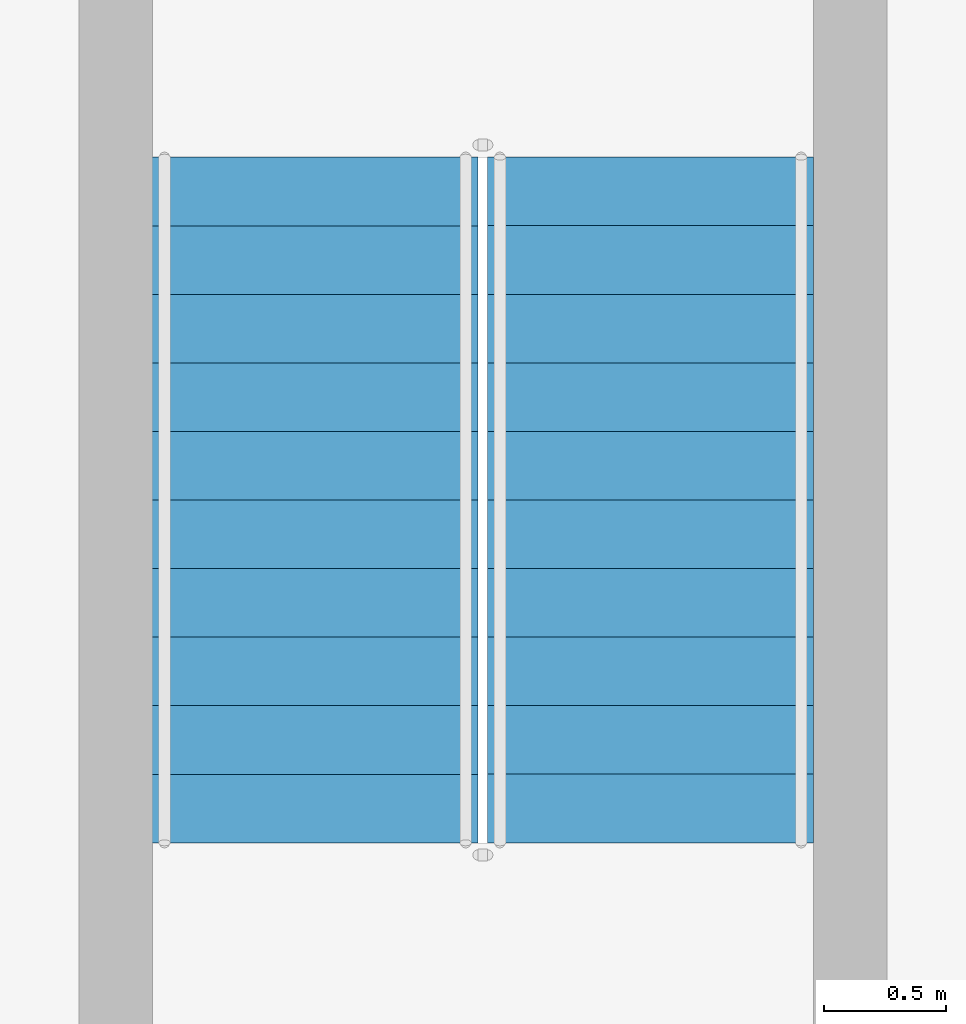
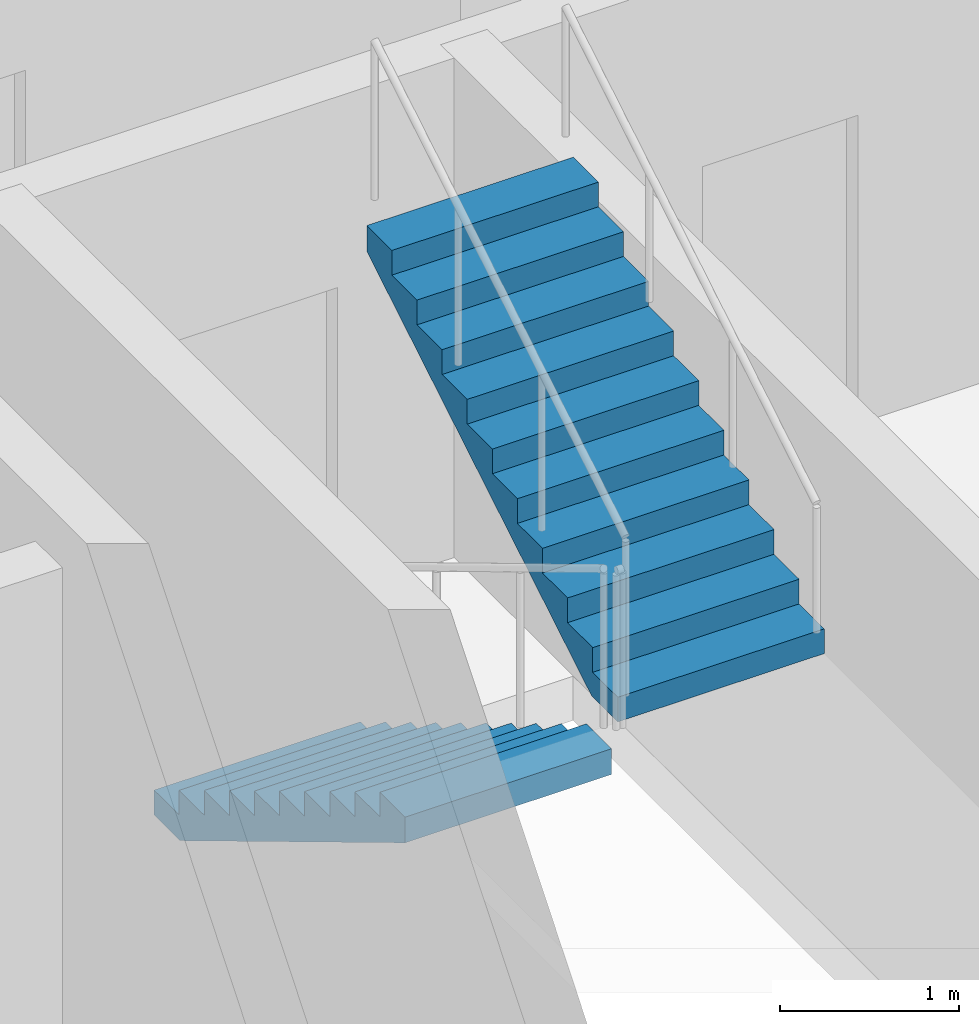
# One storey, part 24 of 31: 2 stair flights, 1 element without a shape of its own.
"""IFC4 building model written with IfcOpenShell, lengths in metres."""

from ifc_helpers import new_model, si_unit, direction, frame, origin, place, context, subcontext, project, spatial, triangles, source, transform, mapped, material, type_object, element, aggregate, save


model = new_model("IFC4")

# Units and contexts
model_context = context("Model", 3, precision=1e-05, world=origin(), true_north=direction((0.0, 1.0)))
body_context = subcontext(model_context, "Body", "Model", "MODEL_VIEW")
ifc_project = project(units=[si_unit("LENGTHUNIT", "METRE"), si_unit("AREAUNIT", "SQUARE_METRE"), si_unit("VOLUMEUNIT", "CUBIC_METRE"), si_unit("PLANEANGLEUNIT", "RADIAN"), si_unit("MASSUNIT", "GRAM", prefix="KILO")], contexts=[model_context])

# Site, building, storey
site_placement = place(None, origin())
site = spatial("IfcSite", under=ifc_project, at=site_placement, CompositionType="ELEMENT")
building_placement = place(site_placement, origin())
building = spatial("IfcBuilding", under=site, at=building_placement, Name="Ogive Portal Towers", CompositionType="ELEMENT")
storey_placement = place(building_placement, frame((0.0, 0.0, 74.199951171875)))
storey = spatial("IfcBuildingStorey", under=building, at=storey_placement, Name="L17", CompositionType="ELEMENT", Elevation=74.199951171875)

# Stair, stair flights
ifc_material = material(Name="Concrete C40/50", Category="concrete")
stair_type = type_object("IfcStairType", Name="INT-STAIR", PredefinedType="HALF_TURN_STAIR", material=ifc_material)
stair_placement = place(storey_placement, origin())
stair = element("IfcStair", 1, at=stair_placement, inside=storey, type_object=stair_type, Name="L17 Exit Stair ST-A4", PredefinedType="HALF_TURN_STAIR")
stair_flight_type = type_object("IfcStairFlightType", Name="INT-FLIGHT", PredefinedType="STRAIGHT", material=ifc_material)
shared_shape = source(origin(), body_context, "Body", "Tessellation", [
    triangles([(0.0, -0.6650390625, 0.0), (0.0, -0.384765625, 0.0), (0.0, -0.197021484375, 0.0), (0.0, -0.0830078125, 0.0), (0.0, -0.024658203125, 0.0), (0.0, -0.003173828125, 0.0), (0.0, 0.0, 0.0), (0.0, 0.003173828125, 0.0), (0.0, 0.024658203125, 0.0), (0.0, 0.0830078125, 0.0), (0.0, 0.197021484375, 0.0), (0.0, 0.384765625, 0.0), (0.0, 0.6650390625, 0.0), (0.0, -0.6650390625, 0.168212890625), (0.0, -0.384765625, 0.168212890625), (0.0, -0.197021484375, 0.168212890625), (0.0, -0.0830078125, 0.168212890625), (0.0, -0.024658203125, 0.168212890625), (0.0, -0.003173828125, 0.168212890625), (0.0, 0.0, 0.168212890625), (0.0, 0.003173828125, 0.168212890625), (0.0, 0.024658203125, 0.168212890625), (0.0, 0.0830078125, 0.168212890625), (0.0, 0.197021484375, 0.168212890625), (0.0, 0.384765625, 0.168212890625), (0.0, 0.6650390625, 0.168212890625), (0.280029296875, -0.6650390625, 0.168212890625), (0.280029296875, -0.384765625, 0.168212890625), (0.280029296875, -0.197021484375, 0.168212890625), (0.280029296875, -0.0830078125, 0.168212890625), (0.280029296875, -0.024658203125, 0.168212890625), (0.280029296875, -0.003173828125, 0.168212890625), (0.280029296875, 0.0, 0.168212890625), (0.280029296875, 0.003173828125, 0.168212890625), (0.280029296875, 0.024658203125, 0.168212890625), (0.280029296875, 0.0830078125, 0.168212890625), (0.280029296875, 0.197021484375, 0.168212890625), (0.280029296875, 0.384765625, 0.168212890625), (0.280029296875, 0.6650390625, 0.168212890625), (0.280029296875, -0.6650390625, 0.33642578125), (0.280029296875, -0.384765625, 0.33642578125), (0.280029296875, -0.197021484375, 0.33642578125), (0.280029296875, -0.0830078125, 0.33642578125), (0.280029296875, -0.024658203125, 0.33642578125), (0.280029296875, -0.003173828125, 0.33642578125), (0.280029296875, 0.0, 0.33642578125), (0.280029296875, 0.003173828125, 0.33642578125), (0.280029296875, 0.024658203125, 0.33642578125), (0.280029296875, 0.0830078125, 0.33642578125), (0.280029296875, 0.197021484375, 0.33642578125), (0.280029296875, 0.384765625, 0.33642578125), (0.280029296875, 0.6650390625, 0.33642578125), (0.56005859375, -0.6650390625, 0.33642578125), (0.56005859375, -0.384765625, 0.33642578125), (0.56005859375, -0.197021484375, 0.33642578125), (0.56005859375, -0.0830078125, 0.33642578125), (0.56005859375, -0.024658203125, 0.33642578125), (0.56005859375, -0.003173828125, 0.33642578125), (0.56005859375, 0.0, 0.33642578125), (0.56005859375, 0.003173828125, 0.33642578125), (0.56005859375, 0.024658203125, 0.33642578125), (0.56005859375, 0.0830078125, 0.33642578125), (0.56005859375, 0.197021484375, 0.33642578125), (0.56005859375, 0.384765625, 0.33642578125), (0.56005859375, 0.6650390625, 0.33642578125), (0.56005859375, -0.6650390625, 0.504638671875), (0.56005859375, -0.384765625, 0.504638671875), (0.56005859375, -0.197021484375, 0.504638671875), (0.56005859375, -0.0830078125, 0.504638671875), (0.56005859375, -0.024658203125, 0.504638671875), (0.56005859375, -0.003173828125, 0.504638671875), (0.56005859375, 0.0, 0.504638671875), (0.56005859375, 0.003173828125, 0.504638671875), (0.56005859375, 0.024658203125, 0.504638671875), (0.56005859375, 0.0830078125, 0.504638671875), (0.56005859375, 0.197021484375, 0.504638671875), (0.56005859375, 0.384765625, 0.504638671875), (0.56005859375, 0.6650390625, 0.504638671875), (0.840087890625, -0.6650390625, 0.504638671875), (0.840087890625, -0.384765625, 0.504638671875), (0.840087890625, -0.197021484375, 0.504638671875), (0.840087890625, -0.0830078125, 0.504638671875), (0.840087890625, -0.024658203125, 0.504638671875), (0.840087890625, -0.003173828125, 0.504638671875), (0.840087890625, 0.0, 0.504638671875), (0.840087890625, 0.003173828125, 0.504638671875), (0.840087890625, 0.024658203125, 0.504638671875), (0.840087890625, 0.0830078125, 0.504638671875), (0.840087890625, 0.197021484375, 0.504638671875), (0.840087890625, 0.384765625, 0.504638671875), (0.840087890625, 0.6650390625, 0.504638671875), (0.840087890625, -0.6650390625, 0.672607421875), (0.840087890625, -0.384765625, 0.672607421875), (0.840087890625, -0.197021484375, 0.672607421875), (0.840087890625, -0.0830078125, 0.672607421875), (0.840087890625, -0.024658203125, 0.672607421875), (0.840087890625, -0.003173828125, 0.672607421875), (0.840087890625, 0.0, 0.672607421875), (0.840087890625, 0.003173828125, 0.672607421875), (0.840087890625, 0.024658203125, 0.672607421875), (0.840087890625, 0.0830078125, 0.672607421875), (0.840087890625, 0.197021484375, 0.672607421875), (0.840087890625, 0.384765625, 0.672607421875), (0.840087890625, 0.6650390625, 0.672607421875), (1.1201171875, -0.6650390625, 0.672607421875), (1.1201171875, -0.384765625, 0.672607421875), (1.1201171875, -0.197021484375, 0.672607421875), (1.1201171875, -0.0830078125, 0.672607421875), (1.1201171875, -0.024658203125, 0.672607421875), (1.1201171875, -0.003173828125, 0.672607421875), (1.1201171875, 0.0, 0.672607421875), (1.1201171875, 0.003173828125, 0.672607421875), (1.1201171875, 0.024658203125, 0.672607421875), (1.1201171875, 0.0830078125, 0.672607421875), (1.1201171875, 0.197021484375, 0.672607421875), (1.1201171875, 0.384765625, 0.672607421875), (1.1201171875, 0.6650390625, 0.672607421875), (1.1201171875, -0.6650390625, 0.8408203125), (1.1201171875, -0.384765625, 0.8408203125), (1.1201171875, -0.197021484375, 0.8408203125), (1.1201171875, -0.0830078125, 0.8408203125), (1.1201171875, -0.024658203125, 0.8408203125), (1.1201171875, -0.003173828125, 0.8408203125), (1.1201171875, 0.0, 0.8408203125), (1.1201171875, 0.003173828125, 0.8408203125), (1.1201171875, 0.024658203125, 0.8408203125), (1.1201171875, 0.0830078125, 0.8408203125), (1.1201171875, 0.197021484375, 0.8408203125), (1.1201171875, 0.384765625, 0.8408203125), (1.1201171875, 0.6650390625, 0.8408203125), (1.39990234375, -0.6650390625, 0.8408203125), (1.39990234375, -0.384765625, 0.8408203125), (1.39990234375, -0.197021484375, 0.8408203125), (1.39990234375, -0.0830078125, 0.8408203125), (1.39990234375, -0.024658203125, 0.8408203125), (1.39990234375, -0.003173828125, 0.8408203125), (1.39990234375, 0.0, 0.8408203125), (1.39990234375, 0.003173828125, 0.8408203125), (1.39990234375, 0.024658203125, 0.8408203125), (1.39990234375, 0.0830078125, 0.8408203125), (1.39990234375, 0.197021484375, 0.8408203125), (1.39990234375, 0.384765625, 0.8408203125), (1.39990234375, 0.6650390625, 0.8408203125), (1.39990234375, -0.6650390625, 1.009033203125), (1.39990234375, -0.384765625, 1.009033203125), (1.39990234375, -0.197021484375, 1.009033203125), (1.39990234375, -0.0830078125, 1.009033203125), (1.39990234375, -0.024658203125, 1.009033203125), (1.39990234375, -0.003173828125, 1.009033203125), (1.39990234375, 0.0, 1.009033203125), (1.39990234375, 0.003173828125, 1.009033203125), (1.39990234375, 0.024658203125, 1.009033203125), (1.39990234375, 0.0830078125, 1.009033203125), (1.39990234375, 0.197021484375, 1.009033203125), (1.39990234375, 0.384765625, 1.009033203125), (1.39990234375, 0.6650390625, 1.009033203125), (1.679931640625, -0.6650390625, 1.009033203125), (1.679931640625, -0.384765625, 1.009033203125), (1.679931640625, -0.197021484375, 1.009033203125), (1.679931640625, -0.0830078125, 1.009033203125), (1.679931640625, -0.024658203125, 1.009033203125), (1.679931640625, -0.003173828125, 1.009033203125), (1.679931640625, 0.0, 1.009033203125), (1.679931640625, 0.003173828125, 1.009033203125), (1.679931640625, 0.024658203125, 1.009033203125), (1.679931640625, 0.0830078125, 1.009033203125), (1.679931640625, 0.197021484375, 1.009033203125), (1.679931640625, 0.384765625, 1.009033203125), (1.679931640625, 0.6650390625, 1.009033203125), (1.679931640625, -0.6650390625, 1.17724609375), (1.679931640625, -0.384765625, 1.17724609375), (1.679931640625, -0.197021484375, 1.17724609375), (1.679931640625, -0.0830078125, 1.17724609375), (1.679931640625, -0.024658203125, 1.17724609375), (1.679931640625, -0.003173828125, 1.17724609375), (1.679931640625, 0.0, 1.17724609375), (1.679931640625, 0.003173828125, 1.17724609375), (1.679931640625, 0.024658203125, 1.17724609375), (1.679931640625, 0.0830078125, 1.17724609375), (1.679931640625, 0.197021484375, 1.17724609375), (1.679931640625, 0.384765625, 1.17724609375), (1.679931640625, 0.6650390625, 1.17724609375), (1.9599609375, -0.6650390625, 1.17724609375), (1.9599609375, -0.384765625, 1.17724609375), (1.9599609375, -0.197021484375, 1.17724609375), (1.9599609375, -0.0830078125, 1.17724609375), (1.9599609375, -0.024658203125, 1.17724609375), (1.9599609375, -0.003173828125, 1.17724609375), (1.9599609375, 0.0, 1.17724609375), (1.9599609375, 0.003173828125, 1.17724609375), (1.9599609375, 0.024658203125, 1.17724609375), (1.9599609375, 0.0830078125, 1.17724609375), (1.9599609375, 0.197021484375, 1.17724609375), (1.9599609375, 0.384765625, 1.17724609375), (1.9599609375, 0.6650390625, 1.17724609375), (1.9599609375, -0.6650390625, 1.345458984375), (1.9599609375, -0.384765625, 1.345458984375), (1.9599609375, -0.197021484375, 1.345458984375), (1.9599609375, -0.0830078125, 1.345458984375), (1.9599609375, -0.024658203125, 1.345458984375), (1.9599609375, -0.003173828125, 1.345458984375), (1.9599609375, 0.0, 1.345458984375), (1.9599609375, 0.003173828125, 1.345458984375), (1.9599609375, 0.024658203125, 1.345458984375), (1.9599609375, 0.0830078125, 1.345458984375), (1.9599609375, 0.197021484375, 1.345458984375), (1.9599609375, 0.384765625, 1.345458984375), (1.9599609375, 0.6650390625, 1.345458984375), (2.239990234375, -0.6650390625, 1.345458984375), (2.239990234375, -0.384765625, 1.345458984375), (2.239990234375, -0.197021484375, 1.345458984375), (2.239990234375, -0.0830078125, 1.345458984375), (2.239990234375, -0.024658203125, 1.345458984375), (2.239990234375, -0.003173828125, 1.345458984375), (2.239990234375, 0.0, 1.345458984375), (2.239990234375, 0.003173828125, 1.345458984375), (2.239990234375, 0.024658203125, 1.345458984375), (2.239990234375, 0.0830078125, 1.345458984375), (2.239990234375, 0.197021484375, 1.345458984375), (2.239990234375, 0.384765625, 1.345458984375), (2.239990234375, 0.6650390625, 1.345458984375), (2.239990234375, -0.6650390625, 1.513671875), (2.239990234375, -0.384765625, 1.513671875), (2.239990234375, -0.197021484375, 1.513671875), (2.239990234375, -0.0830078125, 1.513671875), (2.239990234375, -0.024658203125, 1.513671875), (2.239990234375, -0.003173828125, 1.513671875), (2.239990234375, 0.0, 1.513671875), (2.239990234375, 0.003173828125, 1.513671875), (2.239990234375, 0.024658203125, 1.513671875), (2.239990234375, 0.0830078125, 1.513671875), (2.239990234375, 0.197021484375, 1.513671875), (2.239990234375, 0.384765625, 1.513671875), (2.239990234375, 0.6650390625, 1.513671875), (2.52001953125, -0.6650390625, 1.513671875), (2.52001953125, -0.384765625, 1.513671875), (2.52001953125, -0.197021484375, 1.513671875), (2.52001953125, -0.0830078125, 1.513671875), (2.52001953125, -0.024658203125, 1.513671875), (2.52001953125, -0.003173828125, 1.513671875), (2.52001953125, 0.0, 1.513671875), (2.52001953125, 0.003173828125, 1.513671875), (2.52001953125, 0.024658203125, 1.513671875), (2.52001953125, 0.0830078125, 1.513671875), (2.52001953125, 0.197021484375, 1.513671875), (2.52001953125, 0.384765625, 1.513671875), (2.52001953125, 0.6650390625, 1.513671875), (2.52001953125, -0.6650390625, 1.681884765625), (2.52001953125, -0.384765625, 1.681884765625), (2.52001953125, -0.197021484375, 1.681884765625), (2.52001953125, -0.0830078125, 1.681884765625), (2.52001953125, -0.024658203125, 1.681884765625), (2.52001953125, -0.003173828125, 1.681884765625), (2.52001953125, 0.0, 1.681884765625), (2.52001953125, 0.003173828125, 1.681884765625), (2.52001953125, 0.024658203125, 1.681884765625), (2.52001953125, 0.0830078125, 1.681884765625), (2.52001953125, 0.197021484375, 1.681884765625), (2.52001953125, 0.384765625, 1.681884765625), (2.52001953125, 0.6650390625, 1.681884765625), (2.800048828125, -0.6650390625, 1.681884765625), (2.800048828125, -0.384765625, 1.681884765625), (2.800048828125, -0.197021484375, 1.681884765625), (2.800048828125, -0.0830078125, 1.681884765625), (2.800048828125, -0.024658203125, 1.681884765625), (2.800048828125, -0.003173828125, 1.681884765625), (2.800048828125, 0.0, 1.681884765625), (2.800048828125, 0.003173828125, 1.681884765625), (2.800048828125, 0.024658203125, 1.681884765625), (2.800048828125, 0.0830078125, 1.681884765625), (2.800048828125, 0.197021484375, 1.681884765625), (2.800048828125, 0.384765625, 1.681884765625), (2.800048828125, 0.6650390625, 1.681884765625), (2.800048828125, -0.6650390625, 1.5068359375), (2.800048828125, -0.384765625, 1.5068359375), (2.800048828125, -0.197021484375, 1.5068359375), (2.800048828125, -0.0830078125, 1.5068359375), (2.800048828125, -0.024658203125, 1.5068359375), (2.800048828125, -0.003173828125, 1.5068359375), (2.800048828125, 0.0, 1.5068359375), (2.800048828125, 0.003173828125, 1.5068359375), (2.800048828125, 0.024658203125, 1.5068359375), (2.800048828125, 0.0830078125, 1.5068359375), (2.800048828125, 0.197021484375, 1.5068359375), (2.800048828125, 0.384765625, 1.5068359375), (2.800048828125, 0.6650390625, 1.5068359375), (0.291015625, -0.6650390625, 0.0), (0.291015625, -0.384765625, 0.0), (0.291015625, -0.197021484375, 0.0), (0.291015625, -0.0830078125, 0.0), (0.291015625, -0.024658203125, 0.0), (0.291015625, -0.003173828125, 0.0), (0.291015625, 0.0, 0.0), (0.291015625, 0.003173828125, 0.0), (0.291015625, 0.024658203125, 0.0), (0.291015625, 0.0830078125, 0.0), (0.291015625, 0.197021484375, 0.0), (0.291015625, 0.384765625, 0.0), (0.291015625, 0.6650390625, 0.0)], [[1, 14, 15], [1, 15, 2], [2, 15, 16], [2, 16, 3], [3, 16, 17], [3, 17, 4], [4, 17, 18], [4, 18, 5], [5, 18, 19], [5, 19, 6], [6, 19, 20], [6, 20, 7], [7, 20, 21], [7, 21, 8], [8, 21, 22], [8, 22, 9], [9, 22, 23], [9, 23, 10], [10, 23, 24], [10, 24, 11], [11, 24, 25], [11, 25, 12], [12, 25, 26], [12, 26, 13], [14, 27, 28], [14, 28, 15], [15, 28, 29], [15, 29, 16], [16, 29, 30], [16, 30, 17], [17, 30, 31], [17, 31, 18], [18, 31, 32], [18, 32, 19], [19, 32, 33], [19, 33, 20], [20, 33, 34], [20, 34, 21], [21, 34, 35], [21, 35, 22], [22, 35, 36], [22, 36, 23], [23, 36, 37], [23, 37, 24], [24, 37, 38], [24, 38, 25], [25, 38, 39], [25, 39, 26], [27, 40, 41], [27, 41, 28], [28, 41, 42], [28, 42, 29], [29, 42, 43], [29, 43, 30], [30, 43, 44], [30, 44, 31], [31, 44, 45], [31, 45, 32], [32, 45, 46], [32, 46, 33], [33, 46, 47], [33, 47, 34], [34, 47, 48], [34, 48, 35], [35, 48, 49], [35, 49, 36], [36, 49, 50], [36, 50, 37], [37, 50, 51], [37, 51, 38], [38, 51, 52], [38, 52, 39], [40, 53, 54], [40, 54, 41], [41, 54, 55], [41, 55, 42], [42, 55, 56], [42, 56, 43], [43, 56, 57], [43, 57, 44], [44, 57, 58], [44, 58, 45], [45, 58, 59], [45, 59, 46], [46, 59, 60], [46, 60, 47], [47, 60, 61], [47, 61, 48], [48, 61, 62], [48, 62, 49], [49, 62, 63], [49, 63, 50], [50, 63, 64], [50, 64, 51], [51, 64, 65], [51, 65, 52], [53, 66, 67], [53, 67, 54], [54, 67, 68], [54, 68, 55], [55, 68, 69], [55, 69, 56], [56, 69, 70], [56, 70, 57], [57, 70, 71], [57, 71, 58], [58, 71, 72], [58, 72, 59], [59, 72, 73], [59, 73, 60], [60, 73, 74], [60, 74, 61], [61, 74, 75], [61, 75, 62], [62, 75, 76], [62, 76, 63], [63, 76, 77], [63, 77, 64], [64, 77, 78], [64, 78, 65], [66, 79, 80], [66, 80, 67], [67, 80, 81], [67, 81, 68], [68, 81, 82], [68, 82, 69], [69, 82, 83], [69, 83, 70], [70, 83, 84], [70, 84, 71], [71, 84, 85], [71, 85, 72], [72, 85, 86], [72, 86, 73], [73, 86, 87], [73, 87, 74], [74, 87, 88], [74, 88, 75], [75, 88, 89], [75, 89, 76], [76, 89, 90], [76, 90, 77], [77, 90, 91], [77, 91, 78], [79, 92, 93], [79, 93, 80], [80, 93, 94], [80, 94, 81], [81, 94, 95], [81, 95, 82], [82, 95, 96], [82, 96, 83], [83, 96, 97], [83, 97, 84], [84, 97, 98], [84, 98, 85], [85, 98, 99], [85, 99, 86], [86, 99, 100], [86, 100, 87], [87, 100, 101], [87, 101, 88], [88, 101, 102], [88, 102, 89], [89, 102, 103], [89, 103, 90], [90, 103, 104], [90, 104, 91], [92, 105, 106], [92, 106, 93], [93, 106, 107], [93, 107, 94], [94, 107, 108], [94, 108, 95], [95, 108, 109], [95, 109, 96], [96, 109, 110], [96, 110, 97], [97, 110, 111], [97, 111, 98], [98, 111, 112], [98, 112, 99], [99, 112, 113], [99, 113, 100], [100, 113, 114], [100, 114, 101], [101, 114, 115], [101, 115, 102], [102, 115, 116], [102, 116, 103], [103, 116, 117], [103, 117, 104], [105, 118, 119], [105, 119, 106], [106, 119, 120], [106, 120, 107], [107, 120, 121], [107, 121, 108], [108, 121, 122], [108, 122, 109], [109, 122, 123], [109, 123, 110], [110, 123, 124], [110, 124, 111], [111, 124, 125], [111, 125, 112], [112, 125, 126], [112, 126, 113], [113, 126, 127], [113, 127, 114], [114, 127, 128], [114, 128, 115], [115, 128, 129], [115, 129, 116], [116, 129, 130], [116, 130, 117], [118, 131, 132], [118, 132, 119], [119, 132, 133], [119, 133, 120], [120, 133, 134], [120, 134, 121], [121, 134, 135], [121, 135, 122], [122, 135, 136], [122, 136, 123], [123, 136, 137], [123, 137, 124], [124, 137, 138], [124, 138, 125], [125, 138, 139], [125, 139, 126], [126, 139, 140], [126, 140, 127], [127, 140, 141], [127, 141, 128], [128, 141, 142], [128, 142, 129], [129, 142, 143], [129, 143, 130], [131, 144, 145], [131, 145, 132], [132, 145, 146], [132, 146, 133], [133, 146, 147], [133, 147, 134], [134, 147, 148], [134, 148, 135], [135, 148, 149], [135, 149, 136], [136, 149, 150], [136, 150, 137], [137, 150, 151], [137, 151, 138], [138, 151, 152], [138, 152, 139], [139, 152, 153], [139, 153, 140], [140, 153, 154], [140, 154, 141], [141, 154, 155], [141, 155, 142], [142, 155, 156], [142, 156, 143], [144, 157, 158], [144, 158, 145], [145, 158, 159], [145, 159, 146], [146, 159, 160], [146, 160, 147], [147, 160, 161], [147, 161, 148], [148, 161, 162], [148, 162, 149], [149, 162, 163], [149, 163, 150], [150, 163, 164], [150, 164, 151], [151, 164, 165], [151, 165, 152], [152, 165, 166], [152, 166, 153], [153, 166, 167], [153, 167, 154], [154, 167, 168], [154, 168, 155], [155, 168, 169], [155, 169, 156], [157, 170, 171], [157, 171, 158], [158, 171, 172], [158, 172, 159], [159, 172, 173], [159, 173, 160], [160, 173, 174], [160, 174, 161], [161, 174, 175], [161, 175, 162], [162, 175, 176], [162, 176, 163], [163, 176, 177], [163, 177, 164], [164, 177, 178], [164, 178, 165], [165, 178, 179], [165, 179, 166], [166, 179, 180], [166, 180, 167], [167, 180, 181], [167, 181, 168], [168, 181, 182], [168, 182, 169], [170, 183, 184], [170, 184, 171], [171, 184, 185], [171, 185, 172], [172, 185, 186], [172, 186, 173], [173, 186, 187], [173, 187, 174], [174, 187, 188], [174, 188, 175], [175, 188, 189], [175, 189, 176], [176, 189, 190], [176, 190, 177], [177, 190, 191], [177, 191, 178], [178, 191, 192], [178, 192, 179], [179, 192, 193], [179, 193, 180], [180, 193, 194], [180, 194, 181], [181, 194, 195], [181, 195, 182], [183, 196, 197], [183, 197, 184], [184, 197, 198], [184, 198, 185], [185, 198, 199], [185, 199, 186], [186, 199, 200], [186, 200, 187], [187, 200, 201], [187, 201, 188], [188, 201, 202], [188, 202, 189], [189, 202, 203], [189, 203, 190], [190, 203, 204], [190, 204, 191], [191, 204, 205], [191, 205, 192], [192, 205, 206], [192, 206, 193], [193, 206, 207], [193, 207, 194], [194, 207, 208], [194, 208, 195], [196, 209, 210], [196, 210, 197], [197, 210, 211], [197, 211, 198], [198, 211, 212], [198, 212, 199], [199, 212, 213], [199, 213, 200], [200, 213, 214], [200, 214, 201], [201, 214, 215], [201, 215, 202], [202, 215, 216], [202, 216, 203], [203, 216, 217], [203, 217, 204], [204, 217, 218], [204, 218, 205], [205, 218, 219], [205, 219, 206], [206, 219, 220], [206, 220, 207], [207, 220, 221], [207, 221, 208], [209, 222, 223], [209, 223, 210], [210, 223, 224], [210, 224, 211], [211, 224, 225], [211, 225, 212], [212, 225, 226], [212, 226, 213], [213, 226, 227], [213, 227, 214], [214, 227, 228], [214, 228, 215], [215, 228, 229], [215, 229, 216], [216, 229, 230], [216, 230, 217], [217, 230, 231], [217, 231, 218], [218, 231, 232], [218, 232, 219], [219, 232, 233], [219, 233, 220], [220, 233, 234], [220, 234, 221], [222, 235, 236], [222, 236, 223], [223, 236, 237], [223, 237, 224], [224, 237, 238], [224, 238, 225], [225, 238, 239], [225, 239, 226], [226, 239, 240], [226, 240, 227], [227, 240, 241], [227, 241, 228], [228, 241, 242], [228, 242, 229], [229, 242, 243], [229, 243, 230], [230, 243, 244], [230, 244, 231], [231, 244, 245], [231, 245, 232], [232, 245, 246], [232, 246, 233], [233, 246, 247], [233, 247, 234], [235, 248, 249], [235, 249, 236], [236, 249, 250], [236, 250, 237], [237, 250, 251], [237, 251, 238], [238, 251, 252], [238, 252, 239], [239, 252, 253], [239, 253, 240], [240, 253, 254], [240, 254, 241], [241, 254, 255], [241, 255, 242], [242, 255, 256], [242, 256, 243], [243, 256, 257], [243, 257, 244], [244, 257, 258], [244, 258, 245], [245, 258, 259], [245, 259, 246], [246, 259, 260], [246, 260, 247], [248, 261, 262], [248, 262, 249], [249, 262, 263], [249, 263, 250], [250, 263, 264], [250, 264, 251], [251, 264, 265], [251, 265, 252], [252, 265, 266], [252, 266, 253], [253, 266, 267], [253, 267, 254], [254, 267, 268], [254, 268, 255], [255, 268, 269], [255, 269, 256], [256, 269, 270], [256, 270, 257], [257, 270, 271], [257, 271, 258], [258, 271, 272], [258, 272, 259], [259, 272, 273], [259, 273, 260], [261, 274, 275], [261, 275, 262], [262, 275, 276], [262, 276, 263], [263, 276, 277], [263, 277, 264], [264, 277, 278], [264, 278, 265], [265, 278, 279], [265, 279, 266], [266, 279, 280], [266, 280, 267], [267, 280, 281], [267, 281, 268], [268, 281, 282], [268, 282, 269], [269, 282, 283], [269, 283, 270], [270, 283, 284], [270, 284, 271], [271, 284, 285], [271, 285, 272], [272, 285, 286], [272, 286, 273], [274, 287, 288], [274, 288, 275], [275, 288, 289], [275, 289, 276], [276, 289, 290], [276, 290, 277], [277, 290, 291], [277, 291, 278], [278, 291, 292], [278, 292, 279], [279, 292, 293], [279, 293, 280], [280, 293, 294], [280, 294, 281], [281, 294, 295], [281, 295, 282], [282, 295, 296], [282, 296, 283], [283, 296, 297], [283, 297, 284], [284, 297, 298], [284, 298, 285], [285, 298, 299], [285, 299, 286], [287, 1, 2], [287, 2, 288], [288, 2, 3], [288, 3, 289], [289, 3, 4], [289, 4, 290], [290, 4, 5], [290, 5, 291], [291, 5, 6], [291, 6, 292], [292, 6, 7], [292, 7, 293], [293, 7, 8], [293, 8, 294], [294, 8, 9], [294, 9, 295], [295, 9, 10], [295, 10, 296], [296, 10, 11], [296, 11, 297], [297, 11, 12], [297, 12, 298], [298, 12, 13], [298, 13, 299], [1, 287, 274], [13, 286, 299], [274, 261, 248], [286, 260, 273], [274, 248, 235], [286, 247, 260], [274, 235, 222], [286, 234, 247], [274, 222, 209], [286, 221, 234], [209, 196, 183], [221, 195, 208], [274, 209, 183], [286, 195, 221], [183, 170, 157], [195, 169, 182], [274, 183, 157], [286, 169, 195], [157, 144, 131], [169, 143, 156], [274, 157, 131], [286, 143, 169], [131, 118, 105], [143, 117, 130], [274, 131, 105], [286, 117, 143], [1, 274, 105], [13, 117, 286], [105, 92, 79], [117, 91, 104], [79, 66, 53], [91, 65, 78], [105, 79, 53], [117, 65, 91], [53, 40, 27], [65, 39, 52], [105, 53, 27], [117, 39, 65], [1, 105, 27], [13, 39, 117], [27, 14, 1], [39, 13, 26]], closed=True),
])
stair_flight_1_placement = place(storey_placement, frame((87.6650390625, 29.169921875, 0.0), z_axis=(0.0, 0.0, 1.0), x_axis=(0.0, -1.0, 0.0)))
stair_flight_1 = element("IfcStairFlight", 2, at=stair_flight_1_placement, type_object=stair_flight_type, Name="ST-A4 flight 1", NumberOfRisers=11, NumberOfTreads=10, PredefinedType="STRAIGHT", RiserHeight=0.168181818, TreadLength=0.28, context=body_context, shape_type="MappedRepresentation", body=[
    mapped(shared_shape, transform((0.0, 0.0, 0.0), scale=1.0)),
])
stair_flight_2_placement = place(storey_placement, frame((89.034912109375, 26.3701171875, 1.85009765625), z_axis=(0.0, 0.0, 1.0), x_axis=(0.0, 1.0, 0.0)))
stair_flight_2 = element("IfcStairFlight", 3, at=stair_flight_2_placement, type_object=stair_flight_type, Name="ST-A4 flight 2", NumberOfRisers=11, NumberOfTreads=10, PredefinedType="STRAIGHT", RiserHeight=0.168181818, TreadLength=0.28, context=body_context, shape_type="MappedRepresentation", body=[
    mapped(shared_shape, transform((0.0, 0.0, 0.0), scale=1.0)),
])
aggregate(stair, [stair_flight_1, stair_flight_2])

save(model, "model.ifc")
